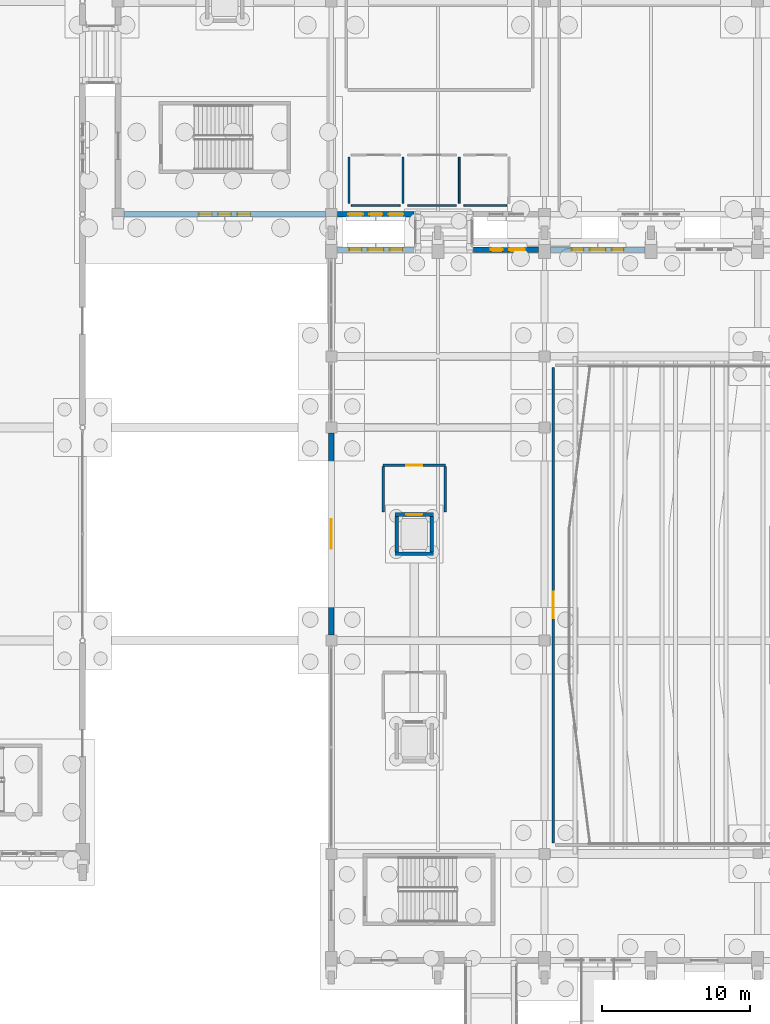
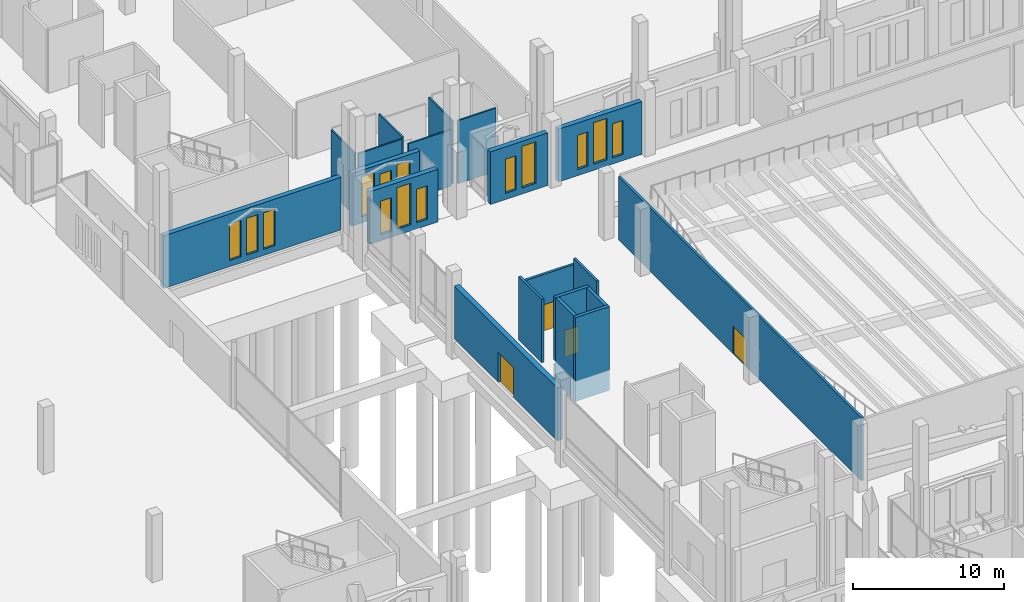
# One storey, part 144 of 192: 21 walls, 14 windows, 4 doors, 18 openings.
"""IFC4 building model written with IfcOpenShell, lengths in metres."""

from ifc_helpers import new_model, si_unit, direction, frame, frame_2d, origin, place, context, subcontext, project, spatial, rectangle, extrude, material, layer, layer_set, type_object, element, fill, save


model = new_model("IFC4")

# Units and contexts
model_context = context("Model", 3, precision=1e-05, world=origin(), true_north=direction((0.0, 1.0)))
body_context = subcontext(model_context, "Body", "Model", "MODEL_VIEW")
ifc_project = project(units=[si_unit("LENGTHUNIT", "METRE"), si_unit("AREAUNIT", "SQUARE_METRE"), si_unit("VOLUMEUNIT", "CUBIC_METRE"), si_unit("PLANEANGLEUNIT", "RADIAN"), si_unit("MASSUNIT", "GRAM", prefix="KILO")], contexts=[model_context])

# Site, building, storey
site_placement = place(None, origin())
site = spatial("IfcSite", under=ifc_project, at=site_placement, CompositionType="ELEMENT")
building_placement = place(site_placement, origin())
building = spatial("IfcBuilding", under=site, at=building_placement, Name="Cendralis Lancet Convention Centre", CompositionType="ELEMENT")
storey_placement = place(building_placement, origin())
storey = spatial("IfcBuildingStorey", under=building, at=storey_placement, Name="L00", CompositionType="ELEMENT", Elevation=0.0)

# Wall, openings, windows
ifc_material_1 = material(Name="Buff sandstone ashlar and Concrete G40 (C40/50)", Category="masonry")
ifc_layer_1 = layer(ifc_material_1, 0.360107421875, Name="Buff sandstone ashlar and Concrete G40 (C40/50)")
ifc_layer_set_1 = layer_set([ifc_layer_1], Name="Buff sandstone ashlar and Concrete G40 (C40/50)")
wall_type_1 = type_object("IfcWallType", Name="ARC-EW-W360", PredefinedType="STANDARD", material=ifc_layer_set_1)
wall_1_placement = place(storey_placement, frame((138.7919921875, 93.60009765625, 0.0), z_axis=(0.0, 0.0, 1.0), x_axis=(-1.0, 0.0, 0.0)))
wall_1 = element("IfcWall", 1, at=wall_1_placement, inside=storey, type_object=wall_type_1, Name="L00 V3 Exterior Wall EW-04 #0133", PredefinedType="STANDARD", context=body_context, shape_type="SweptSolid", body=[
    extrude(rectangle(XDim=13.583984375, YDim=0.360107421875, at=frame_2d((6.7919921875, 0.0))), origin(), (0.0, 0.0, 1.0), 4.2548828125),
])
opening_1_placement = place(wall_1_placement, frame((5.052001953125, 0.0, 0.5)))
opening_1 = element("IfcOpeningElement", 2, at=opening_1_placement, cuts=wall_1, Name="Opening WN-08", PredefinedType="OPENING", context=body_context, shape_type="SweptSolid", body=[
    extrude(rectangle(XDim=0.8798828125, YDim=2.949951171875, at=frame_2d((0.43994140625, 1.47509765625))), frame((0.0, 0.18994140625, 0.0), z_axis=(0.0, -1.0, 0.0), x_axis=(1.0, 0.0, 0.0)), (0.0, 0.0, 1.0), 0.380126953125),
])
opening_2_placement = place(wall_1_placement, frame((6.35205078125, 0.0, 0.5)))
opening_2 = element("IfcOpeningElement", 3, at=opening_2_placement, cuts=wall_1, Name="Opening WN-08", PredefinedType="OPENING", context=body_context, shape_type="SweptSolid", body=[
    extrude(rectangle(XDim=0.8798828125, YDim=2.949951171875, at=frame_2d((0.43994140625, 1.47509765625))), frame((0.0, 0.18994140625, 0.0), z_axis=(0.0, -1.0, 0.0), x_axis=(1.0, 0.0, 0.0)), (0.0, 0.0, 1.0), 0.380126953125),
])
opening_3_placement = place(wall_1_placement, frame((7.652099609375, 0.0, 0.5)))
opening_3 = element("IfcOpeningElement", 4, at=opening_3_placement, cuts=wall_1, Name="Opening WN-08", PredefinedType="OPENING", context=body_context, shape_type="SweptSolid", body=[
    extrude(rectangle(XDim=0.8798828125, YDim=2.949951171875, at=frame_2d((0.43994140625, 1.47509765625))), frame((0.0, 0.18994140625, 0.0), z_axis=(0.0, -1.0, 0.0), x_axis=(1.0, 0.0, 0.0)), (0.0, 0.0, 1.0), 0.380126953125),
])
ifc_material_2 = material(Name="Double-glazed low-E solar-control glass", Category="glass")
window_type_1 = type_object("IfcWindowType", Name="ARC-WN-LW08", PartitioningType="SINGLE_PANEL", PredefinedType="WINDOW", material=ifc_material_2)
window_1_placement = place(opening_1_placement, origin())
window_1 = element("IfcWindow", 5, at=window_1_placement, inside=storey, type_object=window_type_1, Name="Gothic Lancet Window WN-08 #0252", OverallHeight=2.949951171875, OverallWidth=0.8798828125, PartitioningType="SINGLE_PANEL", PredefinedType="WINDOW", context=body_context, shape_type="SweptSolid", body=[
    extrude(rectangle(XDim=0.8798828125, YDim=2.949951171875, at=frame_2d((0.43994140625, 1.47509765625))), frame((0.0, 0.030029296875, 0.0), z_axis=(0.0, -1.0, 0.0), x_axis=(1.0, 0.0, 0.0)), (0.0, 0.0, 1.0), 0.06005859375),
])
fill(opening_1, window_1)
window_2_placement = place(opening_2_placement, origin())
window_2 = element("IfcWindow", 6, at=window_2_placement, inside=storey, type_object=window_type_1, Name="Gothic Lancet Window WN-08 #0253", OverallHeight=2.949951171875, OverallWidth=0.8798828125, PartitioningType="SINGLE_PANEL", PredefinedType="WINDOW", context=body_context, shape_type="SweptSolid", body=[
    extrude(rectangle(XDim=0.8798828125, YDim=2.949951171875, at=frame_2d((0.43994140625, 1.47509765625))), frame((0.0, 0.030029296875, 0.0), z_axis=(0.0, -1.0, 0.0), x_axis=(1.0, 0.0, 0.0)), (0.0, 0.0, 1.0), 0.06005859375),
])
fill(opening_2, window_2)
window_3_placement = place(opening_3_placement, origin())
window_3 = element("IfcWindow", 7, at=window_3_placement, inside=storey, type_object=window_type_1, Name="Gothic Lancet Window WN-08 #0254", OverallHeight=2.949951171875, OverallWidth=0.8798828125, PartitioningType="SINGLE_PANEL", PredefinedType="WINDOW", context=body_context, shape_type="SweptSolid", body=[
    extrude(rectangle(XDim=0.8798828125, YDim=2.949951171875, at=frame_2d((0.43994140625, 1.47509765625))), frame((0.0, 0.030029296875, 0.0), z_axis=(0.0, -1.0, 0.0), x_axis=(1.0, 0.0, 0.0)), (0.0, 0.0, 1.0), 0.06005859375),
])
fill(opening_3, window_3)

wall_2_placement = place(storey_placement, frame((144.800048828125, 93.60009765625, 0.0), z_axis=(0.0, 0.0, 1.0), x_axis=(-1.0, 0.0, 0.0)))
wall_2 = element("IfcWall", 8, at=wall_2_placement, inside=storey, type_object=wall_type_1, Name="L00 V3 Exterior Wall EW-04 #0135", PredefinedType="STANDARD", context=body_context, shape_type="SweptSolid", body=[
    extrude(rectangle(XDim=5.192138671875, YDim=0.360107421875, at=frame_2d((2.59619140625, 0.0))), origin(), (0.0, 0.0, 1.0), 4.2548828125),
])
opening_4_placement = place(wall_2_placement, frame((0.736083984375, 0.0, 0.5)))
opening_4 = element("IfcOpeningElement", 9, at=opening_4_placement, cuts=wall_2, Name="Opening WN-10", PredefinedType="OPENING", context=body_context, shape_type="SweptSolid", body=[
    extrude(rectangle(XDim=1.0, YDim=3.25, at=frame_2d((0.5, 1.625))), frame((0.0, 0.18994140625, 0.0), z_axis=(0.0, -1.0, 0.0), x_axis=(1.0, 0.0, 0.0)), (0.0, 0.0, 1.0), 0.380126953125),
])
opening_5_placement = place(wall_2_placement, frame((2.156005859375, 0.0, 0.5)))
opening_5 = element("IfcOpeningElement", 10, at=opening_5_placement, cuts=wall_2, Name="Opening WN-08", PredefinedType="OPENING", context=body_context, shape_type="SweptSolid", body=[
    extrude(rectangle(XDim=0.8798828125, YDim=2.949951171875, at=frame_2d((0.43994140625, 1.47509765625))), frame((0.0, 0.18994140625, 0.0), z_axis=(0.0, -1.0, 0.0), x_axis=(1.0, 0.0, 0.0)), (0.0, 0.0, 1.0), 0.380126953125),
])
opening_6_placement = place(wall_2_placement, frame((3.4560546875, 0.0, 0.5)))
opening_6 = element("IfcOpeningElement", 11, at=opening_6_placement, cuts=wall_2, Name="Opening WN-10", PredefinedType="OPENING", context=body_context, shape_type="SweptSolid", body=[
    extrude(rectangle(XDim=1.0, YDim=3.25, at=frame_2d((0.5, 1.625))), frame((0.0, 0.18994140625, 0.0), z_axis=(0.0, -1.0, 0.0), x_axis=(1.0, 0.0, 0.0)), (0.0, 0.0, 1.0), 0.380126953125),
])
window_4_placement = place(opening_5_placement, origin())
window_4 = element("IfcWindow", 12, at=window_4_placement, inside=storey, type_object=window_type_1, Name="Gothic Lancet Window WN-08 #0258", OverallHeight=2.949951171875, OverallWidth=0.8798828125, PartitioningType="SINGLE_PANEL", PredefinedType="WINDOW", context=body_context, shape_type="SweptSolid", body=[
    extrude(rectangle(XDim=0.8798828125, YDim=2.949951171875, at=frame_2d((0.43994140625, 1.47509765625))), frame((0.0, 0.030029296875, 0.0), z_axis=(0.0, -1.0, 0.0), x_axis=(1.0, 0.0, 0.0)), (0.0, 0.0, 1.0), 0.06005859375),
])
fill(opening_5, window_4)
window_type_2 = type_object("IfcWindowType", Name="ARC-WN-LW10", PartitioningType="SINGLE_PANEL", PredefinedType="WINDOW", material=ifc_material_2)
window_5_placement = place(opening_4_placement, origin())
window_5 = element("IfcWindow", 13, at=window_5_placement, inside=storey, type_object=window_type_2, Name="Gothic Lancet Window WN-10 #0257", OverallHeight=3.25, OverallWidth=1.0, PartitioningType="SINGLE_PANEL", PredefinedType="WINDOW", context=body_context, shape_type="SweptSolid", body=[
    extrude(rectangle(XDim=1.0, YDim=3.25, at=frame_2d((0.5, 1.625))), frame((0.0, 0.030029296875, 0.0), z_axis=(0.0, -1.0, 0.0), x_axis=(1.0, 0.0, 0.0)), (0.0, 0.0, 1.0), 0.06005859375),
])
fill(opening_4, window_5)
window_6_placement = place(opening_6_placement, origin())
window_6 = element("IfcWindow", 14, at=window_6_placement, inside=storey, type_object=window_type_2, Name="Gothic Lancet Window WN-10 #0259", OverallHeight=3.25, OverallWidth=1.0, PartitioningType="SINGLE_PANEL", PredefinedType="WINDOW", context=body_context, shape_type="SweptSolid", body=[
    extrude(rectangle(XDim=1.0, YDim=3.25, at=frame_2d((0.5, 1.625))), frame((0.0, 0.030029296875, 0.0), z_axis=(0.0, -1.0, 0.0), x_axis=(1.0, 0.0, 0.0)), (0.0, 0.0, 1.0), 0.06005859375),
])
fill(opening_6, window_6)

ifc_layer_2 = layer(ifc_material_1, 0.3798828125, Name="Buff sandstone ashlar and Concrete G40 (C40/50)")
ifc_layer_set_2 = layer_set([ifc_layer_2], Name="Buff sandstone ashlar and Concrete G40 (C40/50)")
wall_type_2 = type_object("IfcWallType", Name="ARC-EW-W380", PredefinedType="STANDARD", material=ifc_layer_set_2)
wall_3_placement = place(storey_placement, frame((139.60791015625, 91.199951171875, 0.0), z_axis=(0.0, 0.0, 1.0), x_axis=(1.0, 0.0, 0.0)))
wall_3 = element("IfcWall", 15, at=wall_3_placement, inside=storey, type_object=wall_type_2, Name="L00 V2 Exterior Wall EW-03 #0076", PredefinedType="STANDARD", context=body_context, shape_type="SweptSolid", body=[
    extrude(rectangle(XDim=5.192138671875, YDim=0.3798828125, at=frame_2d((2.59619140625, 0.0))), origin(), (0.0, 0.0, 1.0), 4.2548828125),
])
opening_7_placement = place(wall_3_placement, frame((0.805908203125, 0.0, 0.5)))
opening_7 = element("IfcOpeningElement", 16, at=opening_7_placement, cuts=wall_3, Name="Opening WN-15", PredefinedType="OPENING", context=body_context, shape_type="SweptSolid", body=[
    extrude(rectangle(XDim=0.840087890625, YDim=2.699951171875, at=frame_2d((0.419921875, 1.35009765625))), frame((0.0, 0.199951171875, 0.0), z_axis=(0.0, -1.0, 0.0), x_axis=(1.0, 0.0, 0.0)), (0.0, 0.0, 1.0), 0.39990234375),
])
opening_8_placement = place(wall_3_placement, frame((2.06591796875, 0.0, 0.5)))
opening_8 = element("IfcOpeningElement", 17, at=opening_8_placement, cuts=wall_3, Name="Opening WN-11", PredefinedType="OPENING", context=body_context, shape_type="SweptSolid", body=[
    extrude(rectangle(XDim=1.06005859375, YDim=3.35009765625, at=frame_2d((0.530029296875, 1.675048828125))), frame((0.0, 0.199951171875, 0.0), z_axis=(0.0, -1.0, 0.0), x_axis=(1.0, 0.0, 0.0)), (0.0, 0.0, 1.0), 0.39990234375),
])
opening_9_placement = place(wall_3_placement, frame((3.5458984375, 0.0, 0.5)))
opening_9 = element("IfcOpeningElement", 18, at=opening_9_placement, cuts=wall_3, Name="Opening WN-15", PredefinedType="OPENING", context=body_context, shape_type="SweptSolid", body=[
    extrude(rectangle(XDim=0.840087890625, YDim=2.699951171875, at=frame_2d((0.419921875, 1.35009765625))), frame((0.0, 0.199951171875, 0.0), z_axis=(0.0, -1.0, 0.0), x_axis=(1.0, 0.0, 0.0)), (0.0, 0.0, 1.0), 0.39990234375),
])
window_type_3 = type_object("IfcWindowType", Name="ARC-WN-LW11", PartitioningType="SINGLE_PANEL", PredefinedType="WINDOW", material=ifc_material_2)
window_7_placement = place(opening_8_placement, origin())
window_7 = element("IfcWindow", 19, at=window_7_placement, inside=storey, type_object=window_type_3, Name="Gothic Lancet Window WN-11 #0125", OverallHeight=3.35009765625, OverallWidth=1.06005859375, PartitioningType="SINGLE_PANEL", PredefinedType="WINDOW", context=body_context, shape_type="SweptSolid", body=[
    extrude(rectangle(XDim=1.06005859375, YDim=3.35009765625, at=frame_2d((0.530029296875, 1.675048828125))), frame((0.0, 0.030029296875, 0.0), z_axis=(0.0, -1.0, 0.0), x_axis=(1.0, 0.0, 0.0)), (0.0, 0.0, 1.0), 0.06005859375),
])
fill(opening_8, window_7)
window_type_4 = type_object("IfcWindowType", Name="ARC-WN-LW15", PartitioningType="SINGLE_PANEL", PredefinedType="WINDOW", material=ifc_material_2)
window_8_placement = place(opening_7_placement, origin())
window_8 = element("IfcWindow", 20, at=window_8_placement, inside=storey, type_object=window_type_4, Name="Gothic Lancet Window WN-15 #0124", OverallHeight=2.699951171875, OverallWidth=0.840087890625, PartitioningType="SINGLE_PANEL", PredefinedType="WINDOW", context=body_context, shape_type="SweptSolid", body=[
    extrude(rectangle(XDim=0.840087890625, YDim=2.699951171875, at=frame_2d((0.419921875, 1.35009765625))), frame((0.0, 0.030029296875, 0.0), z_axis=(0.0, -1.0, 0.0), x_axis=(1.0, 0.0, 0.0)), (0.0, 0.0, 1.0), 0.06005859375),
])
fill(opening_7, window_8)
window_9_placement = place(opening_9_placement, origin())
window_9 = element("IfcWindow", 21, at=window_9_placement, inside=storey, type_object=window_type_4, Name="Gothic Lancet Window WN-15 #0126", OverallHeight=2.699951171875, OverallWidth=0.840087890625, PartitioningType="SINGLE_PANEL", PredefinedType="WINDOW", context=body_context, shape_type="SweptSolid", body=[
    extrude(rectangle(XDim=0.840087890625, YDim=2.699951171875, at=frame_2d((0.419921875, 1.35009765625))), frame((0.0, 0.030029296875, 0.0), z_axis=(0.0, -1.0, 0.0), x_axis=(1.0, 0.0, 0.0)), (0.0, 0.0, 1.0), 0.06005859375),
])
fill(opening_9, window_9)

wall_4_placement = place(storey_placement, frame((148.800048828125, 91.199951171875, 0.0), z_axis=(0.0, 0.0, 1.0), x_axis=(1.0, 0.0, 0.0)))
wall_4 = element("IfcWall", 22, at=wall_4_placement, inside=storey, type_object=wall_type_2, Name="L00 V2 Exterior Wall EW-03 #0077", PredefinedType="STANDARD", context=body_context, shape_type="SweptSolid", body=[
    extrude(rectangle(XDim=4.391845703125, YDim=0.3798828125, at=frame_2d((2.19580078125, 0.0))), origin(), (0.0, 0.0, 1.0), 4.2548828125),
])
opening_10_placement = place(wall_4_placement, frame((1.176025390625, 0.0, 0.5)))
opening_10 = element("IfcOpeningElement", 23, at=opening_10_placement, cuts=wall_4, Name="Opening WN-07", PredefinedType="OPENING", context=body_context, shape_type="SweptSolid", body=[
    extrude(rectangle(XDim=0.800048828125, YDim=2.75, at=frame_2d((0.39990234375, 1.375))), frame((0.0, 0.199951171875, 0.0), z_axis=(0.0, -1.0, 0.0), x_axis=(1.0, 0.0, 0.0)), (0.0, 0.0, 1.0), 0.39990234375),
])
opening_11_placement = place(wall_4_placement, frame((2.416015625, 0.0, 0.5)))
opening_11 = element("IfcOpeningElement", 24, at=opening_11_placement, cuts=wall_4, Name="Opening WN-11", PredefinedType="OPENING", context=body_context, shape_type="SweptSolid", body=[
    extrude(rectangle(XDim=1.06005859375, YDim=3.35009765625, at=frame_2d((0.530029296875, 1.675048828125))), frame((0.0, 0.199951171875, 0.0), z_axis=(0.0, -1.0, 0.0), x_axis=(1.0, 0.0, 0.0)), (0.0, 0.0, 1.0), 0.39990234375),
])
window_type_5 = type_object("IfcWindowType", Name="ARC-WN-LW07", PartitioningType="SINGLE_PANEL", PredefinedType="WINDOW", material=ifc_material_2)
window_10_placement = place(opening_10_placement, origin())
window_10 = element("IfcWindow", 25, at=window_10_placement, inside=storey, type_object=window_type_5, Name="Gothic Lancet Window WN-07 #0127", OverallHeight=2.75, OverallWidth=0.800048828125, PartitioningType="SINGLE_PANEL", PredefinedType="WINDOW", context=body_context, shape_type="SweptSolid", body=[
    extrude(rectangle(XDim=0.800048828125, YDim=2.75, at=frame_2d((0.39990234375, 1.375))), frame((0.0, 0.030029296875, 0.0), z_axis=(0.0, -1.0, 0.0), x_axis=(1.0, 0.0, 0.0)), (0.0, 0.0, 1.0), 0.06005859375),
])
fill(opening_10, window_10)
window_11_placement = place(opening_11_placement, origin())
window_11 = element("IfcWindow", 26, at=window_11_placement, inside=storey, type_object=window_type_3, Name="Gothic Lancet Window WN-11 #0128", OverallHeight=3.35009765625, OverallWidth=1.06005859375, PartitioningType="SINGLE_PANEL", PredefinedType="WINDOW", context=body_context, shape_type="SweptSolid", body=[
    extrude(rectangle(XDim=1.06005859375, YDim=3.35009765625, at=frame_2d((0.530029296875, 1.675048828125))), frame((0.0, 0.030029296875, 0.0), z_axis=(0.0, -1.0, 0.0), x_axis=(1.0, 0.0, 0.0)), (0.0, 0.0, 1.0), 0.06005859375),
])
fill(opening_11, window_11)

wall_5_placement = place(storey_placement, frame((154.008056640625, 91.199951171875, 0.0), z_axis=(0.0, 0.0, 1.0), x_axis=(1.0, 0.0, 0.0)))
wall_5 = element("IfcWall", 27, at=wall_5_placement, inside=storey, type_object=wall_type_2, Name="L00 V2 Exterior Wall EW-03 #0078", PredefinedType="STANDARD", context=body_context, shape_type="SweptSolid", body=[
    extrude(rectangle(XDim=6.384033203125, YDim=0.3798828125, at=frame_2d((3.19189453125, 0.0))), origin(), (0.0, 0.0, 1.0), 4.2548828125),
])
opening_12_placement = place(wall_5_placement, frame((1.44189453125, 0.0, 0.5)))
opening_12 = element("IfcOpeningElement", 28, at=opening_12_placement, cuts=wall_5, Name="Opening WN-07", PredefinedType="OPENING", context=body_context, shape_type="SweptSolid", body=[
    extrude(rectangle(XDim=0.800048828125, YDim=2.75, at=frame_2d((0.39990234375, 1.375))), frame((0.0, 0.199951171875, 0.0), z_axis=(0.0, -1.0, 0.0), x_axis=(1.0, 0.0, 0.0)), (0.0, 0.0, 1.0), 0.39990234375),
])
opening_13_placement = place(wall_5_placement, frame((2.662109375, 0.0, 0.5)))
opening_13 = element("IfcOpeningElement", 29, at=opening_13_placement, cuts=wall_5, Name="Opening WN-11", PredefinedType="OPENING", context=body_context, shape_type="SweptSolid", body=[
    extrude(rectangle(XDim=1.06005859375, YDim=3.35009765625, at=frame_2d((0.530029296875, 1.675048828125))), frame((0.0, 0.199951171875, 0.0), z_axis=(0.0, -1.0, 0.0), x_axis=(1.0, 0.0, 0.0)), (0.0, 0.0, 1.0), 0.39990234375),
])
opening_14_placement = place(wall_5_placement, frame((4.14208984375, 0.0, 0.5)))
opening_14 = element("IfcOpeningElement", 30, at=opening_14_placement, cuts=wall_5, Name="Opening WN-07", PredefinedType="OPENING", context=body_context, shape_type="SweptSolid", body=[
    extrude(rectangle(XDim=0.800048828125, YDim=2.75, at=frame_2d((0.39990234375, 1.375))), frame((0.0, 0.199951171875, 0.0), z_axis=(0.0, -1.0, 0.0), x_axis=(1.0, 0.0, 0.0)), (0.0, 0.0, 1.0), 0.39990234375),
])
window_12_placement = place(opening_12_placement, origin())
window_12 = element("IfcWindow", 31, at=window_12_placement, inside=storey, type_object=window_type_5, Name="Gothic Lancet Window WN-07 #0129", OverallHeight=2.75, OverallWidth=0.800048828125, PartitioningType="SINGLE_PANEL", PredefinedType="WINDOW", context=body_context, shape_type="SweptSolid", body=[
    extrude(rectangle(XDim=0.800048828125, YDim=2.75, at=frame_2d((0.39990234375, 1.375))), frame((0.0, 0.030029296875, 0.0), z_axis=(0.0, -1.0, 0.0), x_axis=(1.0, 0.0, 0.0)), (0.0, 0.0, 1.0), 0.06005859375),
])
fill(opening_12, window_12)
window_13_placement = place(opening_14_placement, origin())
window_13 = element("IfcWindow", 32, at=window_13_placement, inside=storey, type_object=window_type_5, Name="Gothic Lancet Window WN-07 #0131", OverallHeight=2.75, OverallWidth=0.800048828125, PartitioningType="SINGLE_PANEL", PredefinedType="WINDOW", context=body_context, shape_type="SweptSolid", body=[
    extrude(rectangle(XDim=0.800048828125, YDim=2.75, at=frame_2d((0.39990234375, 1.375))), frame((0.0, 0.030029296875, 0.0), z_axis=(0.0, -1.0, 0.0), x_axis=(1.0, 0.0, 0.0)), (0.0, 0.0, 1.0), 0.06005859375),
])
fill(opening_14, window_13)
window_14_placement = place(opening_13_placement, origin())
window_14 = element("IfcWindow", 33, at=window_14_placement, inside=storey, type_object=window_type_3, Name="Gothic Lancet Window WN-11 #0130", OverallHeight=3.35009765625, OverallWidth=1.06005859375, PartitioningType="SINGLE_PANEL", PredefinedType="WINDOW", context=body_context, shape_type="SweptSolid", body=[
    extrude(rectangle(XDim=1.06005859375, YDim=3.35009765625, at=frame_2d((0.530029296875, 1.675048828125))), frame((0.0, 0.030029296875, 0.0), z_axis=(0.0, -1.0, 0.0), x_axis=(1.0, 0.0, 0.0)), (0.0, 0.0, 1.0), 0.06005859375),
])
fill(opening_13, window_14)

# Wall, opening, door
wall_6_placement = place(storey_placement, frame((139.199951171875, 65.18310546875, 0.0), z_axis=(0.0, 0.0, 1.0), x_axis=(0.0, 1.0, 0.0)))
wall_6 = element("IfcWall", 34, at=wall_6_placement, inside=storey, type_object=wall_type_2, Name="L00 V2 Exterior Wall EW-03 #0086", PredefinedType="STANDARD", context=body_context, shape_type="SweptSolid", body=[
    extrude(rectangle(XDim=13.6337890625, YDim=0.3798828125, at=frame_2d((6.81689453125, 0.0))), origin(), (0.0, 0.0, 1.0), 4.2548828125),
])
opening_15_placement = place(wall_6_placement, frame((5.81689453125, 0.0, 0.0)))
opening_15 = element("IfcOpeningElement", 35, at=opening_15_placement, cuts=wall_6, Name="Opening EX-D2", PredefinedType="OPENING", context=body_context, shape_type="SweptSolid", body=[
    extrude(rectangle(XDim=2.0, YDim=2.39990234375, at=frame_2d((1.0, 1.199951171875))), frame((0.0, 0.199951171875, 0.0), z_axis=(0.0, -1.0, 0.0), x_axis=(1.0, 0.0, 0.0)), (0.0, 0.0, 1.0), 0.39990234375),
])
ifc_material_3 = material(Name="Anodised bronze architectural aluminium", Category="aluminium")
door_type_1 = type_object("IfcDoorType", Name="ARC-DR-EX20", OperationType="NOTDEFINED", PredefinedType="DOOR", material=ifc_material_3)
door_1_placement = place(opening_15_placement, origin())
door_1 = element("IfcDoor", 36, at=door_1_placement, inside=storey, type_object=door_type_1, Name="L00-D031 Pedestrian Final Exit Door EX-31 #031", OperationType="DOUBLE_DOOR_SINGLE_SWING", OverallHeight=2.39990234375, OverallWidth=2.0, PredefinedType="DOOR", context=body_context, shape_type="SweptSolid", body=[
    extrude(rectangle(XDim=2.0, YDim=2.39990234375, at=frame_2d((1.0, 1.199951171875))), frame((0.0, 0.02490234375, 0.0), z_axis=(0.0, -1.0, 0.0), x_axis=(1.0, 0.0, 0.0)), (0.0, 0.0, 1.0), 0.050048828125),
])
fill(opening_15, door_1)

# Walls
ifc_material_4 = material(Name="Acoustic fire-rated gypsum board on steel studs", Category="steel")
ifc_layer_3 = layer(ifc_material_4, 0.1201171875, Name="Acoustic fire-rated gypsum board on steel studs")
ifc_layer_set_3 = layer_set([ifc_layer_3], Name="Acoustic fire-rated gypsum board on steel studs")
wall_type_3 = type_object("IfcWallType", Name="ARC-IW-P120", PredefinedType="PARTITIONING", material=ifc_layer_set_3)
wall_7_placement = place(storey_placement, frame((140.550048828125, 94.199951171875, 0.0), z_axis=(0.0, 0.0, 1.0), x_axis=(1.0, 0.0, 0.0)))
element("IfcWall", 37, at=wall_7_placement, inside=storey, type_object=wall_type_3, Name="L00 Interior Partition IW-05 #0151", PredefinedType="PARTITIONING", context=body_context, shape_type="SweptSolid", body=[
    extrude(rectangle(XDim=3.300048828125, YDim=0.1201171875, at=frame_2d((1.64990234375, 0.0))), origin(), (0.0, 0.0, 1.0), 5.10498046875),
])
for number, where, z_axis, x_axis, name in (
    (38, (140.39990234375, 94.340087890625, 0.0), (0.0, 0.0, 1.0), (0.0, 1.0, 0.0), "L00 Interior Partition IW-05 #0152"),
    (39, (144.050048828125, 94.340087890625, 0.0), (0.0, 0.0, 1.0), (0.0, 1.0, 0.0), "L00 Interior Partition IW-05 #0153"),
):
    element("IfcWall", number, at=place(storey_placement, frame(where, z_axis=z_axis, x_axis=x_axis)), inside=storey, type_object=wall_type_3, Name=name, PredefinedType="PARTITIONING", context=body_context, shape_type="SweptSolid", body=[
        extrude(rectangle(XDim=3.119873046875, YDim=0.1201171875, at=frame_2d((1.56005859375, 0.0))), origin(), (0.0, 0.0, 1.0), 5.10498046875),
    ])
wall_8_placement = place(storey_placement, frame((144.35009765625, 94.199951171875, 0.0), z_axis=(0.0, 0.0, 1.0), x_axis=(1.0, 0.0, 0.0)))
element("IfcWall", 40, at=wall_8_placement, inside=storey, type_object=wall_type_3, Name="L00 Interior Partition IW-05 #0155", PredefinedType="PARTITIONING", context=body_context, shape_type="SweptSolid", body=[
    extrude(rectangle(XDim=3.2998046875, YDim=0.1201171875, at=frame_2d((1.64990234375, 0.0))), origin(), (0.0, 0.0, 1.0), 4.554931640625),
])
wall_9_placement = place(storey_placement, frame((147.85009765625, 94.340087890625, 0.0), z_axis=(0.0, 0.0, 1.0), x_axis=(0.0, 1.0, 0.0)))
element("IfcWall", 41, at=wall_9_placement, inside=storey, type_object=wall_type_3, Name="L00 Interior Partition IW-05 #0156", PredefinedType="PARTITIONING", context=body_context, shape_type="SweptSolid", body=[
    extrude(rectangle(XDim=3.119873046875, YDim=0.1201171875, at=frame_2d((1.56005859375, 0.0))), origin(), (0.0, 0.0, 1.0), 5.10498046875),
])
wall_10_placement = place(storey_placement, frame((148.14990234375, 94.199951171875, 0.0), z_axis=(0.0, 0.0, 1.0), x_axis=(1.0, 0.0, 0.0)))
element("IfcWall", 42, at=wall_10_placement, inside=storey, type_object=wall_type_3, Name="L00 Interior Partition IW-05 #0158", PredefinedType="PARTITIONING", context=body_context, shape_type="SweptSolid", body=[
    extrude(rectangle(XDim=2.900146484375, YDim=0.1201171875, at=frame_2d((1.4501953125, 0.0))), origin(), (0.0, 0.0, 1.0), 5.10498046875),
])

# Wall, opening, door
ifc_layer_4 = layer(ifc_material_4, 0.179931640625, Name="Acoustic fire-rated gypsum board on steel studs")
ifc_layer_set_4 = layer_set([ifc_layer_4], Name="Acoustic fire-rated gypsum board on steel studs")
wall_type_4 = type_object("IfcWallType", Name="ARC-IW-P180", PredefinedType="PARTITIONING", material=ifc_layer_set_4)
wall_11_placement = place(storey_placement, frame((142.699951171875, 76.64990234375, 0.0), z_axis=(0.0, 0.0, 1.0), x_axis=(1.0, 0.0, 0.0)))
wall_11 = element("IfcWall", 43, at=wall_11_placement, inside=storey, type_object=wall_type_4, Name="L00 Lift Lobby LP-06 Front Wall", PredefinedType="PARTITIONING", context=body_context, shape_type="SweptSolid", body=[
    extrude(rectangle(XDim=4.199951171875, YDim=0.179931640625, at=frame_2d((2.10009765625, 0.0))), origin(), (0.0, 0.0, 1.0), 4.60498046875),
])
opening_16_placement = place(wall_11_placement, frame((1.550048828125, 0.0, 0.0)))
opening_16 = element("IfcOpeningElement", 44, at=opening_16_placement, cuts=wall_11, Name="Opening FD-11", PredefinedType="OPENING", context=body_context, shape_type="SweptSolid", body=[
    extrude(rectangle(XDim=1.10009765625, YDim=2.14990234375, at=frame_2d((0.550048828125, 1.074951171875))), frame((0.0, 0.099853515625, 0.0), z_axis=(0.0, -1.0, 0.0), x_axis=(1.0, 0.0, 0.0)), (0.0, 0.0, 1.0), 0.199951171875),
])
ifc_material_5 = material(Name="Steel S355", Category="steel")
door_type_2 = type_object("IfcDoorType", Name="ARC-DR-FF11", OperationType="NOTDEFINED", PredefinedType="DOOR", material=ifc_material_5)
door_2_placement = place(opening_16_placement, origin())
door_2 = element("IfcDoor", 45, at=door_2_placement, inside=storey, type_object=door_type_2, Name="L00-D115 L00 Lift Lobby LP-06 Fire Door", OperationType="SINGLE_SWING_RIGHT", OverallHeight=2.14990234375, OverallWidth=1.10009765625, PredefinedType="DOOR", context=body_context, shape_type="SweptSolid", body=[
    extrude(rectangle(XDim=1.10009765625, YDim=2.14990234375, at=frame_2d((0.550048828125, 1.074951171875))), frame((0.0, 0.02490234375, 0.0), z_axis=(0.0, -1.0, 0.0), x_axis=(1.0, 0.0, 0.0)), (0.0, 0.0, 1.0), 0.050048828125),
])
fill(opening_16, door_2)

# Walls
for number, where, z_axis, x_axis, name in (
    (46, (142.699951171875, 73.5, 0.0), (0.0, 0.0, 1.0), (0.0, 1.0, 0.0), "L00 Lift Lobby LP-06 West Wall"),
    (47, (146.89990234375, 73.5, 0.0), (0.0, 0.0, 1.0), (0.0, 1.0, 0.0), "L00 Lift Lobby LP-06 East Wall"),
):
    element("IfcWall", number, at=place(storey_placement, frame(where, z_axis=z_axis, x_axis=x_axis)), inside=storey, type_object=wall_type_4, Name=name, PredefinedType="PARTITIONING", context=body_context, shape_type="SweptSolid", body=[
        extrude(rectangle(XDim=3.050048828125, YDim=0.179931640625, at=frame_2d((1.52490234375, 0.0))), origin(), (0.0, 0.0, 1.0), 5.1201171875),
    ])

# Wall, opening, door
wall_12_placement = place(storey_placement, frame((154.199951171875, 51.139892578125, 0.0), z_axis=(0.0, 0.0, 1.0), x_axis=(0.0, 1.0, 0.0)))
wall_12 = element("IfcWall", 48, at=wall_12_placement, inside=storey, type_object=wall_type_4, Name="L00 Interior Partition IW-02 #0055", PredefinedType="PARTITIONING", context=body_context, shape_type="SweptSolid", body=[
    extrude(rectangle(XDim=32.1201171875, YDim=0.179931640625, at=frame_2d((16.06005859375, 0.0))), origin(), (0.0, 0.0, 1.0), 5.10498046875),
])
opening_17_placement = place(wall_12_placement, frame((15.159912109375, 0.0, 0.0)))
opening_17 = element("IfcOpeningElement", 49, at=opening_17_placement, cuts=wall_12, Name="Opening ID-18", PredefinedType="OPENING", context=body_context, shape_type="SweptSolid", body=[
    extrude(rectangle(XDim=1.800048828125, YDim=2.199951171875, at=frame_2d((0.89990234375, 1.10009765625))), frame((0.0, 0.099853515625, 0.0), z_axis=(0.0, -1.0, 0.0), x_axis=(1.0, 0.0, 0.0)), (0.0, 0.0, 1.0), 0.199951171875),
])
ifc_material_6 = material(Name="Acoustic Chilean lenga timber and steel fire leaf", Category="steel")
door_type_3 = type_object("IfcDoorType", Name="ARC-DR-DB18", OperationType="NOTDEFINED", PredefinedType="DOOR", material=ifc_material_6)
door_3_placement = place(opening_17_placement, origin())
door_3 = element("IfcDoor", 50, at=door_3_placement, inside=storey, type_object=door_type_3, Name="L00-D058 L00 Interior Door ID-18 #0018", OperationType="DOUBLE_DOOR_SINGLE_SWING", OverallHeight=2.199951171875, OverallWidth=1.800048828125, PredefinedType="DOOR", context=body_context, shape_type="SweptSolid", body=[
    extrude(rectangle(XDim=1.800048828125, YDim=2.199951171875, at=frame_2d((0.89990234375, 1.10009765625))), frame((0.0, 0.02490234375, 0.0), z_axis=(0.0, -1.0, 0.0), x_axis=(1.0, 0.0, 0.0)), (0.0, 0.0, 1.0), 0.050048828125),
])
fill(opening_17, door_3)

# Walls
ifc_material_7 = material(Name="Concrete G40 (C40/50)", Category="concrete")
ifc_layer_5 = layer(ifc_material_7, 0.25, Name="Concrete G40 (C40/50)")
ifc_layer_set_5 = layer_set([ifc_layer_5], Name="Concrete G40 (C40/50)")
wall_type_5 = type_object("IfcWallType", Name="STR-SW-CW250", PredefinedType="SHEAR", material=ifc_layer_set_5)
wall_13_placement = place(storey_placement, frame((143.5, 73.324951171875, -1.64990234375), z_axis=(0.0, 0.0, 1.0), x_axis=(1.0, 0.0, 0.0)))
element("IfcWall", 51, at=wall_13_placement, inside=storey, type_object=wall_type_5, Name="L00 Lift LP-06 Base Stem", PredefinedType="SHEAR", context=body_context, shape_type="SweptSolid", body=[
    extrude(rectangle(XDim=2.60009765625, YDim=0.25, at=frame_2d((1.300048828125, 0.0))), origin(), (0.0, 0.0, 1.0), 1.309814453125),
])
wall_14_placement = place(storey_placement, frame((143.5, 70.675048828125, -1.64990234375), z_axis=(0.0, 0.0, 1.0), x_axis=(1.0, 0.0, 0.0)))
element("IfcWall", 52, at=wall_14_placement, inside=storey, type_object=wall_type_5, Name="L00 Lift LP-06 South Shaft Wall", PredefinedType="SHEAR", context=body_context, shape_type="SweptSolid", body=[
    extrude(rectangle(XDim=2.60009765625, YDim=0.25, at=frame_2d((1.300048828125, 0.0))), origin(), (0.0, 0.0, 1.0), 6.77001953125),
])

# Wall, opening, door
wall_15_placement = place(storey_placement, frame((143.5, 73.324951171875, 0.0), z_axis=(0.0, 0.0, 1.0), x_axis=(1.0, 0.0, 0.0)))
wall_15 = element("IfcWall", 53, at=wall_15_placement, inside=storey, type_object=wall_type_5, Name="L00 Lift LP-06 North Shaft Wall", PredefinedType="SHEAR", context=body_context, shape_type="SweptSolid", body=[
    extrude(rectangle(XDim=2.60009765625, YDim=0.25, at=frame_2d((1.300048828125, 0.0))), origin(), (0.0, 0.0, 1.0), 5.1201171875),
])
opening_18_placement = place(wall_15_placement, frame((0.75, 0.0, 0.0)))
opening_18 = element("IfcOpeningElement", 54, at=opening_18_placement, cuts=wall_15, Name="Opening LD-11", PredefinedType="OPENING", context=body_context, shape_type="SweptSolid", body=[
    extrude(rectangle(XDim=1.10009765625, YDim=2.14990234375, at=frame_2d((0.550048828125, 1.074951171875))), frame((0.0, 0.135009765625, 0.0), z_axis=(0.0, -1.0, 0.0), x_axis=(1.0, 0.0, 0.0)), (0.0, 0.0, 1.0), 0.27001953125),
])
door_type_4 = type_object("IfcDoorType", Name="ARC-DR-LD11", OperationType="NOTDEFINED", PredefinedType="DOOR", material=ifc_material_3)
door_4_placement = place(opening_18_placement, origin())
door_4 = element("IfcDoor", 55, at=door_4_placement, inside=storey, type_object=door_type_4, Name="L00-D101 L00 Lift LP-06 Sliding Landing Door", OperationType="SLIDING_TO_LEFT", OverallHeight=2.14990234375, OverallWidth=1.10009765625, PredefinedType="DOOR", context=body_context, shape_type="SweptSolid", body=[
    extrude(rectangle(XDim=1.10009765625, YDim=2.14990234375, at=frame_2d((0.550048828125, 1.074951171875))), frame((0.0, 0.02490234375, 0.0), z_axis=(0.0, -1.0, 0.0), x_axis=(1.0, 0.0, 0.0)), (0.0, 0.0, 1.0), 0.050048828125),
])
fill(opening_18, door_4)

# Walls
for number, where, z_axis, x_axis, name in (
    (56, (143.625, 70.800048828125, -1.64990234375), (0.0, 0.0, 1.0), (0.0, 1.0, 0.0), "L00 Lift LP-06 West Shaft Wall"),
    (57, (145.97509765625, 70.800048828125, -1.64990234375), (0.0, 0.0, 1.0), (0.0, 1.0, 0.0), "L00 Lift LP-06 East Shaft Wall"),
):
    element("IfcWall", number, at=place(storey_placement, frame(where, z_axis=z_axis, x_axis=x_axis)), inside=storey, type_object=wall_type_5, Name=name, PredefinedType="SHEAR", context=body_context, shape_type="SweptSolid", body=[
        extrude(rectangle(XDim=2.39990234375, YDim=0.25, at=frame_2d((1.199951171875, 0.0))), origin(), (0.0, 0.0, 1.0), 6.77001953125),
    ])

save(model, "model.ifc")
